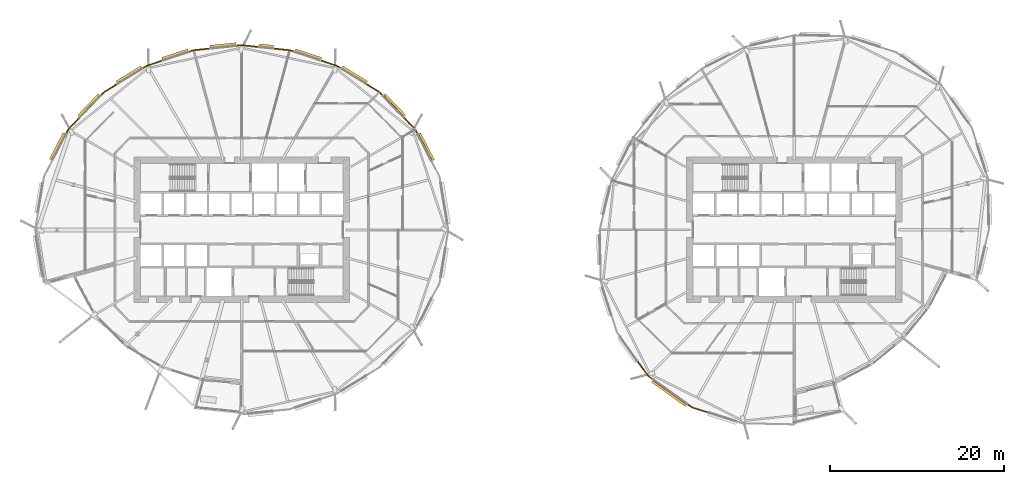
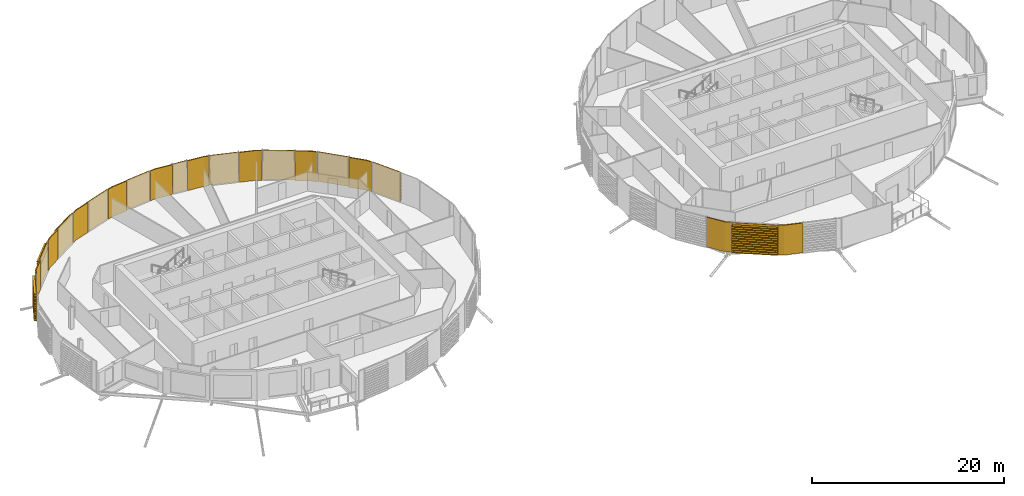
# One storey, part 39 of 43: 22 coverings.
"""IFC4 building model written with IfcOpenShell, lengths in metres."""

from ifc_helpers import new_model, si_unit, direction, frame, origin, place, context, subcontext, project, spatial, polyline, outline, extrude, material, layer, layer_set, material_profile, profile_set, type_object, element, save


model = new_model("IFC4")

# Units and contexts
model_context = context("Model", 3, precision=1e-05, world=origin(), true_north=direction((0.0, 1.0)))
body_context = subcontext(model_context, "Body", "Model", "MODEL_VIEW")
ifc_project = project(units=[si_unit("LENGTHUNIT", "METRE"), si_unit("AREAUNIT", "SQUARE_METRE"), si_unit("VOLUMEUNIT", "CUBIC_METRE"), si_unit("PLANEANGLEUNIT", "RADIAN"), si_unit("MASSUNIT", "GRAM", prefix="KILO")], contexts=[model_context])

# Site, building, storey
site_placement = place(None, origin())
site = spatial("IfcSite", under=ifc_project, at=site_placement, CompositionType="ELEMENT")
building_placement = place(site_placement, origin())
building = spatial("IfcBuilding", under=site, at=building_placement, Name="Rimbun Link Towers", CompositionType="ELEMENT")
storey_placement = place(building_placement, frame((0.0, 0.0, 81.60009765625)))
storey = spatial("IfcBuildingStorey", under=building, at=storey_placement, Name="L19", CompositionType="ELEMENT", Elevation=81.60009765625)

# Coverings
ifc_material_1 = material(Name="Terracotta", Category="masonry")
ifc_layer = layer(ifc_material_1, 0.1201171875)
ifc_layer_set = layer_set([ifc_layer], Name="LINK PIER terracotta cladding 120")
covering_type_1 = type_object("IfcCoveringType", Name="LINK PIER terracotta cladding 120", PredefinedType="CLADDING", material=ifc_layer_set)
covering_1_placement = place(storey_placement, origin())
element("IfcCovering", 1, at=covering_1_placement, inside=storey, type_object=covering_type_1, Name="LINK PIER cladding", PredefinedType="CLADDING", context=body_context, shape_type="SweptSolid", body=[
    extrude(outline(polyline([(-13.172119140625, 12.879150390625), (-11.84326171875, 11.4931640625), (-11.581298828125, 10.98681640625), (-11.474853515625, 11.0419921875), (-11.74462890625, 11.563720703125), (-13.08544921875, 12.962158203125), (-13.172119140625, 12.879150390625)])), origin(), (0.0, 0.0, 1.0), 3.7998046875),
])
covering_2_placement = place(storey_placement, origin())
element("IfcCovering", 2, at=covering_2_placement, inside=storey, type_object=covering_type_1, Name="LINK PIER cladding", PredefinedType="CLADDING", context=body_context, shape_type="SweptSolid", body=[
    extrude(outline(polyline([(-17.469970703125, 16.714599609375), (-15.96142578125, 15.78857421875), (-15.567138671875, 15.376953125), (-15.48046875, 15.460205078125), (-15.885498046875, 15.882568359375), (-17.406982421875, 16.81689453125), (-17.469970703125, 16.714599609375)])), origin(), (0.0, 0.0, 1.0), 3.7998046875),
])
covering_3_placement = place(storey_placement, origin())
element("IfcCovering", 3, at=covering_3_placement, inside=storey, type_object=covering_type_1, Name="LINK PIER cladding", PredefinedType="CLADDING", context=body_context, shape_type="SweptSolid", body=[
    extrude(outline(polyline([(-22.6630859375, 19.401611328125), (-20.88818359375, 18.8134765625), (-20.40234375, 18.51513671875), (-20.339599609375, 18.617431640625), (-20.837158203125, 18.9228515625), (-22.62548828125, 19.515625), (-22.6630859375, 19.401611328125)])), origin(), (0.0, 0.0, 1.0), 3.7998046875),
])
covering_4_placement = place(storey_placement, origin())
element("IfcCovering", 4, at=covering_4_placement, inside=storey, type_object=covering_type_1, Name="LINK PIER cladding", PredefinedType="CLADDING", context=body_context, shape_type="SweptSolid", body=[
    extrude(outline(polyline([(-28.093994140625, 20.781005859375), (-26.234130859375, 20.585205078125), (-25.693115234375, 20.40576171875), (-25.6552734375, 20.519775390625), (-26.208740234375, 20.703125), (-28.081298828125, 20.900390625), (-28.093994140625, 20.781005859375)])), origin(), (0.0, 0.0, 1.0), 3.7998046875),
])
covering_5_placement = place(storey_placement, origin())
element("IfcCovering", 5, at=covering_5_placement, inside=storey, type_object=covering_type_1, Name="LINK PIER cladding", PredefinedType="CLADDING", context=body_context, shape_type="SweptSolid", body=[
    extrude(outline(polyline([(-32.36669921875, 21.10107421875), (-31.75, 21.166015625), (-29.790771484375, 20.959716796875), (-29.7783203125, 21.0791015625), (-31.75, 21.28662109375), (-32.379150390625, 21.220458984375), (-32.36669921875, 21.10107421875)])), origin(), (0.0, 0.0, 1.0), 3.7998046875),
])
covering_6_placement = place(storey_placement, origin())
element("IfcCovering", 6, at=covering_6_placement, inside=storey, type_object=covering_type_1, Name="LINK PIER cladding", PredefinedType="CLADDING", context=body_context, shape_type="SweptSolid", body=[
    extrude(outline(polyline([(-37.806884765625, 20.40576171875), (-37.265869140625, 20.585205078125), (-35.406005859375, 20.781005859375), (-35.418701171875, 20.900390625), (-37.291259765625, 20.703125), (-37.8447265625, 20.519775390625), (-37.806884765625, 20.40576171875)])), origin(), (0.0, 0.0, 1.0), 3.7998046875),
])
covering_7_placement = place(storey_placement, origin())
element("IfcCovering", 7, at=covering_7_placement, inside=storey, type_object=covering_type_1, Name="LINK PIER cladding", PredefinedType="CLADDING", context=body_context, shape_type="SweptSolid", body=[
    extrude(outline(polyline([(-43.09765625, 18.51513671875), (-42.61181640625, 18.8134765625), (-40.8369140625, 19.401611328125), (-40.87451171875, 19.515625), (-42.662841796875, 18.9228515625), (-43.160400390625, 18.617431640625), (-43.09765625, 18.51513671875)])), origin(), (0.0, 0.0, 1.0), 3.7998046875),
])
covering_8_placement = place(storey_placement, origin())
element("IfcCovering", 8, at=covering_8_placement, inside=storey, type_object=covering_type_1, Name="LINK PIER cladding", PredefinedType="CLADDING", context=body_context, shape_type="SweptSolid", body=[
    extrude(outline(polyline([(-47.932861328125, 15.376953125), (-47.53857421875, 15.78857421875), (-46.030029296875, 16.714599609375), (-46.093017578125, 16.81689453125), (-47.614501953125, 15.882568359375), (-48.01953125, 15.460205078125), (-47.932861328125, 15.376953125)])), origin(), (0.0, 0.0, 1.0), 3.7998046875),
])
covering_9_placement = place(storey_placement, origin())
element("IfcCovering", 9, at=covering_9_placement, inside=storey, type_object=covering_type_1, Name="LINK PIER cladding", PredefinedType="CLADDING", context=body_context, shape_type="SweptSolid", body=[
    extrude(outline(polyline([(-51.918701171875, 10.98681640625), (-51.65673828125, 11.4931640625), (-50.327880859375, 12.879150390625), (-50.41455078125, 12.962158203125), (-51.75537109375, 11.563720703125), (-52.025146484375, 11.0419921875), (-51.918701171875, 10.98681640625)])), origin(), (0.0, 0.0, 1.0), 3.7998046875),
])
covering_10_placement = place(storey_placement, origin())
element("IfcCovering", 10, at=covering_10_placement, inside=storey, type_object=covering_type_1, Name="LINK PIER cladding", PredefinedType="CLADDING", context=body_context, shape_type="SweptSolid", body=[
    extrude(outline(polyline([(15.53173828125, -17.1533203125), (14.9873046875, -16.7626953125), (13.780517578125, -15.080810546875), (13.68310546875, -15.150634765625), (14.9013671875, -16.8486328125), (15.4619140625, -17.250732421875), (15.53173828125, -17.1533203125)])), origin(), (0.0, 0.0, 1.0), 3.7998046875),
])
covering_11_placement = place(storey_placement, origin())
element("IfcCovering", 11, at=covering_11_placement, inside=storey, type_object=covering_type_1, Name="LINK PIER cladding", PredefinedType="CLADDING", context=body_context, shape_type="SweptSolid", body=[
    extrude(outline(polyline([(21.874267578125, -20.954345703125), (19.996826171875, -20.357177734375), (19.4931640625, -19.995849609375), (19.423095703125, -20.09326171875), (19.9423828125, -20.4658203125), (21.837890625, -21.068603515625), (21.874267578125, -20.954345703125)])), origin(), (0.0, 0.0, 1.0), 3.7998046875),
])
ifc_material_2 = material(Name="Terracotta", Category="masonry")
ifc_material_profile = material_profile(ifc_material_2, outline(polyline([(0.123046875, 0.0), (0.1630859375, 0.0), (0.1630859375, 0.10009765625), (0.423095703125, 0.10009765625), (0.423095703125, 0.219970703125), (0.1630859375, 0.219970703125), (0.1630859375, 0.39990234375), (0.423095703125, 0.39990234375), (0.423095703125, 0.52001953125), (0.1630859375, 0.52001953125), (0.1630859375, 0.699951171875), (0.423095703125, 0.699951171875), (0.423095703125, 0.820068359375), (0.1630859375, 0.820068359375), (0.1630859375, 1.0), (0.423095703125, 1.0), (0.423095703125, 1.1201171875), (0.1630859375, 1.1201171875), (0.1630859375, 1.300048828125), (0.423095703125, 1.300048828125), (0.423095703125, 1.419921875), (0.1630859375, 1.419921875), (0.1630859375, 1.60009765625), (0.423095703125, 1.60009765625), (0.423095703125, 1.719970703125), (0.1630859375, 1.719970703125), (0.1630859375, 1.89990234375), (0.423095703125, 1.89990234375), (0.423095703125, 2.02001953125), (0.1630859375, 2.02001953125), (0.1630859375, 2.199951171875), (0.423095703125, 2.199951171875), (0.423095703125, 2.320068359375), (0.1630859375, 2.320068359375), (0.1630859375, 2.5), (0.423095703125, 2.5), (0.423095703125, 2.6201171875), (0.1630859375, 2.6201171875), (0.1630859375, 2.800048828125), (0.423095703125, 2.800048828125), (0.423095703125, 2.919921875), (0.1630859375, 2.919921875), (0.1630859375, 3.10009765625), (0.423095703125, 3.10009765625), (0.423095703125, 3.219970703125), (0.1630859375, 3.219970703125), (0.1630859375, 3.39990234375), (0.423095703125, 3.39990234375), (0.423095703125, 3.52001953125), (0.1630859375, 3.52001953125), (0.1630859375, 3.800048828125), (0.123046875, 3.800048828125), (0.123046875, 0.0)])), Name="BAGUETTE 120X300")
ifc_profile_set = profile_set([ifc_material_profile], Name="Terracotta")
covering_type_2 = type_object("IfcCoveringType", Name="TERRACOTTA BAGUETTE 120X300 H3800", PredefinedType="CLADDING", material=ifc_profile_set)
covering_12_placement = place(storey_placement, frame((-11.567626953125, 10.960205078125, 0.0), z_axis=(0.459537083826, -0.888158583018, 0.0), x_axis=(0.888158583018, 0.459537083826, 0.0)))
element("IfcCovering", 12, at=covering_12_placement, inside=storey, type_object=covering_type_2, Name="TERRACOTTA BAGUETTE", PredefinedType="CLADDING", context=body_context, shape_type="SweptSolid", body=[
    extrude(outline(polyline([(0.123046875, 0.0), (0.1630859375, 0.0), (0.1630859375, 0.10009765625), (0.423095703125, 0.10009765625), (0.423095703125, 0.219970703125), (0.1630859375, 0.219970703125), (0.1630859375, 0.39990234375), (0.423095703125, 0.39990234375), (0.423095703125, 0.52001953125), (0.1630859375, 0.52001953125), (0.1630859375, 0.699951171875), (0.423095703125, 0.699951171875), (0.423095703125, 0.820068359375), (0.1630859375, 0.820068359375), (0.1630859375, 1.0), (0.423095703125, 1.0), (0.423095703125, 1.1201171875), (0.1630859375, 1.1201171875), (0.1630859375, 1.300048828125), (0.423095703125, 1.300048828125), (0.423095703125, 1.419921875), (0.1630859375, 1.419921875), (0.1630859375, 1.60009765625), (0.423095703125, 1.60009765625), (0.423095703125, 1.719970703125), (0.1630859375, 1.719970703125), (0.1630859375, 1.89990234375), (0.423095703125, 1.89990234375), (0.423095703125, 2.02001953125), (0.1630859375, 2.02001953125), (0.1630859375, 2.199951171875), (0.423095703125, 2.199951171875), (0.423095703125, 2.320068359375), (0.1630859375, 2.320068359375), (0.1630859375, 2.5), (0.423095703125, 2.5), (0.423095703125, 2.6201171875), (0.1630859375, 2.6201171875), (0.1630859375, 2.800048828125), (0.423095703125, 2.800048828125), (0.423095703125, 2.919921875), (0.1630859375, 2.919921875), (0.1630859375, 3.10009765625), (0.423095703125, 3.10009765625), (0.423095703125, 3.219970703125), (0.1630859375, 3.219970703125), (0.1630859375, 3.39990234375), (0.423095703125, 3.39990234375), (0.423095703125, 3.52001953125), (0.1630859375, 3.52001953125), (0.1630859375, 3.800048828125), (0.123046875, 3.800048828125), (0.123046875, 0.0)])), origin(), (0.0, 0.0, 1.0), 3.490478515625),
])
covering_13_placement = place(storey_placement, frame((-15.546142578125, 15.35546875, 0.0), z_axis=(0.692016066289, -0.721882098406, 0.0), x_axis=(0.721882098406, 0.692016066289, 0.0)))
element("IfcCovering", 13, at=covering_13_placement, inside=storey, type_object=covering_type_2, Name="TERRACOTTA BAGUETTE", PredefinedType="CLADDING", context=body_context, shape_type="SweptSolid", body=[
    extrude(outline(polyline([(0.123046875, 0.0), (0.1630859375, 0.0), (0.1630859375, 0.10009765625), (0.423095703125, 0.10009765625), (0.423095703125, 0.219970703125), (0.1630859375, 0.219970703125), (0.1630859375, 0.39990234375), (0.423095703125, 0.39990234375), (0.423095703125, 0.52001953125), (0.1630859375, 0.52001953125), (0.1630859375, 0.699951171875), (0.423095703125, 0.699951171875), (0.423095703125, 0.820068359375), (0.1630859375, 0.820068359375), (0.1630859375, 1.0), (0.423095703125, 1.0), (0.423095703125, 1.1201171875), (0.1630859375, 1.1201171875), (0.1630859375, 1.300048828125), (0.423095703125, 1.300048828125), (0.423095703125, 1.419921875), (0.1630859375, 1.419921875), (0.1630859375, 1.60009765625), (0.423095703125, 1.60009765625), (0.423095703125, 1.719970703125), (0.1630859375, 1.719970703125), (0.1630859375, 1.89990234375), (0.423095703125, 1.89990234375), (0.423095703125, 2.02001953125), (0.1630859375, 2.02001953125), (0.1630859375, 2.199951171875), (0.423095703125, 2.199951171875), (0.423095703125, 2.320068359375), (0.1630859375, 2.320068359375), (0.1630859375, 2.5), (0.423095703125, 2.5), (0.423095703125, 2.6201171875), (0.1630859375, 2.6201171875), (0.1630859375, 2.800048828125), (0.423095703125, 2.800048828125), (0.423095703125, 2.919921875), (0.1630859375, 2.919921875), (0.1630859375, 3.10009765625), (0.423095703125, 3.10009765625), (0.423095703125, 3.219970703125), (0.1630859375, 3.219970703125), (0.1630859375, 3.39990234375), (0.423095703125, 3.39990234375), (0.423095703125, 3.52001953125), (0.1630859375, 3.52001953125), (0.1630859375, 3.800048828125), (0.123046875, 3.800048828125), (0.123046875, 0.0)])), origin(), (0.0, 0.0, 1.0), 3.400634765625),
])
covering_14_placement = place(storey_placement, frame((-20.376708984375, 18.49951171875, 0.0), z_axis=(0.85216614194, -0.523271312544, 0.0), x_axis=(0.523271312544, 0.85216614194, 0.0)))
element("IfcCovering", 14, at=covering_14_placement, inside=storey, type_object=covering_type_2, Name="TERRACOTTA BAGUETTE", PredefinedType="CLADDING", context=body_context, shape_type="SweptSolid", body=[
    extrude(outline(polyline([(0.123046875, 0.0), (0.1630859375, 0.0), (0.1630859375, 0.10009765625), (0.423095703125, 0.10009765625), (0.423095703125, 0.219970703125), (0.1630859375, 0.219970703125), (0.1630859375, 0.39990234375), (0.423095703125, 0.39990234375), (0.423095703125, 0.52001953125), (0.1630859375, 0.52001953125), (0.1630859375, 0.699951171875), (0.423095703125, 0.699951171875), (0.423095703125, 0.820068359375), (0.1630859375, 0.820068359375), (0.1630859375, 1.0), (0.423095703125, 1.0), (0.423095703125, 1.1201171875), (0.1630859375, 1.1201171875), (0.1630859375, 1.300048828125), (0.423095703125, 1.300048828125), (0.423095703125, 1.419921875), (0.1630859375, 1.419921875), (0.1630859375, 1.60009765625), (0.423095703125, 1.60009765625), (0.423095703125, 1.719970703125), (0.1630859375, 1.719970703125), (0.1630859375, 1.89990234375), (0.423095703125, 1.89990234375), (0.423095703125, 2.02001953125), (0.1630859375, 2.02001953125), (0.1630859375, 2.199951171875), (0.423095703125, 2.199951171875), (0.423095703125, 2.320068359375), (0.1630859375, 2.320068359375), (0.1630859375, 2.5), (0.423095703125, 2.5), (0.423095703125, 2.6201171875), (0.1630859375, 2.6201171875), (0.1630859375, 2.800048828125), (0.423095703125, 2.800048828125), (0.423095703125, 2.919921875), (0.1630859375, 2.919921875), (0.1630859375, 3.10009765625), (0.423095703125, 3.10009765625), (0.423095703125, 3.219970703125), (0.1630859375, 3.219970703125), (0.1630859375, 3.39990234375), (0.423095703125, 3.39990234375), (0.423095703125, 3.52001953125), (0.1630859375, 3.52001953125), (0.1630859375, 3.800048828125), (0.123046875, 3.800048828125), (0.123046875, 0.0)])), origin(), (0.0, 0.0, 1.0), 3.381103515625),
])
covering_15_placement = place(storey_placement, frame((-25.66455078125, 20.396240234375, 0.0), z_axis=(0.949243070926, -0.314543466469, 0.0), x_axis=(0.314543466469, 0.949243070926, 0.0)))
element("IfcCovering", 15, at=covering_15_placement, inside=storey, type_object=covering_type_2, Name="TERRACOTTA BAGUETTE", PredefinedType="CLADDING", context=body_context, shape_type="SweptSolid", body=[
    extrude(outline(polyline([(0.123046875, 0.0), (0.1630859375, 0.0), (0.1630859375, 0.10009765625), (0.423095703125, 0.10009765625), (0.423095703125, 0.219970703125), (0.1630859375, 0.219970703125), (0.1630859375, 0.39990234375), (0.423095703125, 0.39990234375), (0.423095703125, 0.52001953125), (0.1630859375, 0.52001953125), (0.1630859375, 0.699951171875), (0.423095703125, 0.699951171875), (0.423095703125, 0.820068359375), (0.1630859375, 0.820068359375), (0.1630859375, 1.0), (0.423095703125, 1.0), (0.423095703125, 1.1201171875), (0.1630859375, 1.1201171875), (0.1630859375, 1.300048828125), (0.423095703125, 1.300048828125), (0.423095703125, 1.419921875), (0.1630859375, 1.419921875), (0.1630859375, 1.60009765625), (0.423095703125, 1.60009765625), (0.423095703125, 1.719970703125), (0.1630859375, 1.719970703125), (0.1630859375, 1.89990234375), (0.423095703125, 1.89990234375), (0.423095703125, 2.02001953125), (0.1630859375, 2.02001953125), (0.1630859375, 2.199951171875), (0.423095703125, 2.199951171875), (0.423095703125, 2.320068359375), (0.1630859375, 2.320068359375), (0.1630859375, 2.5), (0.423095703125, 2.5), (0.423095703125, 2.6201171875), (0.1630859375, 2.6201171875), (0.1630859375, 2.800048828125), (0.423095703125, 2.800048828125), (0.423095703125, 2.919921875), (0.1630859375, 2.919921875), (0.1630859375, 3.10009765625), (0.423095703125, 3.10009765625), (0.423095703125, 3.219970703125), (0.1630859375, 3.219970703125), (0.1630859375, 3.39990234375), (0.423095703125, 3.39990234375), (0.423095703125, 3.52001953125), (0.1630859375, 3.52001953125), (0.1630859375, 3.800048828125), (0.123046875, 3.800048828125), (0.123046875, 0.0)])), origin(), (0.0, 0.0, 1.0), 3.1318359375),
])
covering_16_placement = place(storey_placement, frame((-29.760986328125, 20.95654296875, 0.0), z_axis=(0.994503827589, -0.10470022402, 0.0), x_axis=(0.10470022402, 0.994503827589, 0.0)))
element("IfcCovering", 16, at=covering_16_placement, inside=storey, type_object=covering_type_2, Name="TERRACOTTA BAGUETTE", PredefinedType="CLADDING", context=body_context, shape_type="SweptSolid", body=[
    extrude(outline(polyline([(0.123046875, 0.0), (0.1630859375, 0.0), (0.1630859375, 0.10009765625), (0.423095703125, 0.10009765625), (0.423095703125, 0.219970703125), (0.1630859375, 0.219970703125), (0.1630859375, 0.39990234375), (0.423095703125, 0.39990234375), (0.423095703125, 0.52001953125), (0.1630859375, 0.52001953125), (0.1630859375, 0.699951171875), (0.423095703125, 0.699951171875), (0.423095703125, 0.820068359375), (0.1630859375, 0.820068359375), (0.1630859375, 1.0), (0.423095703125, 1.0), (0.423095703125, 1.1201171875), (0.1630859375, 1.1201171875), (0.1630859375, 1.300048828125), (0.423095703125, 1.300048828125), (0.423095703125, 1.419921875), (0.1630859375, 1.419921875), (0.1630859375, 1.60009765625), (0.423095703125, 1.60009765625), (0.423095703125, 1.719970703125), (0.1630859375, 1.719970703125), (0.1630859375, 1.89990234375), (0.423095703125, 1.89990234375), (0.423095703125, 2.02001953125), (0.1630859375, 2.02001953125), (0.1630859375, 2.199951171875), (0.423095703125, 2.199951171875), (0.423095703125, 2.320068359375), (0.1630859375, 2.320068359375), (0.1630859375, 2.5), (0.423095703125, 2.5), (0.423095703125, 2.6201171875), (0.1630859375, 2.6201171875), (0.1630859375, 2.800048828125), (0.423095703125, 2.800048828125), (0.423095703125, 2.919921875), (0.1630859375, 2.919921875), (0.1630859375, 3.10009765625), (0.423095703125, 3.10009765625), (0.423095703125, 3.219970703125), (0.1630859375, 3.219970703125), (0.1630859375, 3.39990234375), (0.423095703125, 3.39990234375), (0.423095703125, 3.52001953125), (0.1630859375, 3.52001953125), (0.1630859375, 3.800048828125), (0.123046875, 3.800048828125), (0.123046875, 0.0)])), origin(), (0.0, 0.0, 1.0), 1.646240234375),
])
covering_17_placement = place(storey_placement, frame((-35.376220703125, 20.7841796875, 0.0), z_axis=(0.994503220277, 0.104705992467, 0.0), x_axis=(-0.104705992467, 0.994503220277, 0.0)))
element("IfcCovering", 17, at=covering_17_placement, inside=storey, type_object=covering_type_2, Name="TERRACOTTA BAGUETTE", PredefinedType="CLADDING", context=body_context, shape_type="SweptSolid", body=[
    extrude(outline(polyline([(0.123046875, 0.0), (0.1630859375, 0.0), (0.1630859375, 0.10009765625), (0.423095703125, 0.10009765625), (0.423095703125, 0.219970703125), (0.1630859375, 0.219970703125), (0.1630859375, 0.39990234375), (0.423095703125, 0.39990234375), (0.423095703125, 0.52001953125), (0.1630859375, 0.52001953125), (0.1630859375, 0.699951171875), (0.423095703125, 0.699951171875), (0.423095703125, 0.820068359375), (0.1630859375, 0.820068359375), (0.1630859375, 1.0), (0.423095703125, 1.0), (0.423095703125, 1.1201171875), (0.1630859375, 1.1201171875), (0.1630859375, 1.300048828125), (0.423095703125, 1.300048828125), (0.423095703125, 1.419921875), (0.1630859375, 1.419921875), (0.1630859375, 1.60009765625), (0.423095703125, 1.60009765625), (0.423095703125, 1.719970703125), (0.1630859375, 1.719970703125), (0.1630859375, 1.89990234375), (0.423095703125, 1.89990234375), (0.423095703125, 2.02001953125), (0.1630859375, 2.02001953125), (0.1630859375, 2.199951171875), (0.423095703125, 2.199951171875), (0.423095703125, 2.320068359375), (0.1630859375, 2.320068359375), (0.1630859375, 2.5), (0.423095703125, 2.5), (0.423095703125, 2.6201171875), (0.1630859375, 2.6201171875), (0.1630859375, 2.800048828125), (0.423095703125, 2.800048828125), (0.423095703125, 2.919921875), (0.1630859375, 2.919921875), (0.1630859375, 3.10009765625), (0.423095703125, 3.10009765625), (0.423095703125, 3.219970703125), (0.1630859375, 3.219970703125), (0.1630859375, 3.39990234375), (0.423095703125, 3.39990234375), (0.423095703125, 3.52001953125), (0.1630859375, 3.52001953125), (0.1630859375, 3.800048828125), (0.123046875, 3.800048828125), (0.123046875, 0.0)])), origin(), (0.0, 0.0, 1.0), 2.99609375),
])
covering_18_placement = place(storey_placement, frame((-40.808349609375, 19.4111328125, 0.0), z_axis=(0.949243070926, 0.314543466469, 0.0), x_axis=(-0.314543466469, 0.949243070926, 0.0)))
element("IfcCovering", 18, at=covering_18_placement, inside=storey, type_object=covering_type_2, Name="TERRACOTTA BAGUETTE", PredefinedType="CLADDING", context=body_context, shape_type="SweptSolid", body=[
    extrude(outline(polyline([(0.123046875, 0.0), (0.1630859375, 0.0), (0.1630859375, 0.10009765625), (0.423095703125, 0.10009765625), (0.423095703125, 0.219970703125), (0.1630859375, 0.219970703125), (0.1630859375, 0.39990234375), (0.423095703125, 0.39990234375), (0.423095703125, 0.52001953125), (0.1630859375, 0.52001953125), (0.1630859375, 0.699951171875), (0.423095703125, 0.699951171875), (0.423095703125, 0.820068359375), (0.1630859375, 0.820068359375), (0.1630859375, 1.0), (0.423095703125, 1.0), (0.423095703125, 1.1201171875), (0.1630859375, 1.1201171875), (0.1630859375, 1.300048828125), (0.423095703125, 1.300048828125), (0.423095703125, 1.419921875), (0.1630859375, 1.419921875), (0.1630859375, 1.60009765625), (0.423095703125, 1.60009765625), (0.423095703125, 1.719970703125), (0.1630859375, 1.719970703125), (0.1630859375, 1.89990234375), (0.423095703125, 1.89990234375), (0.423095703125, 2.02001953125), (0.1630859375, 2.02001953125), (0.1630859375, 2.199951171875), (0.423095703125, 2.199951171875), (0.423095703125, 2.320068359375), (0.1630859375, 2.320068359375), (0.1630859375, 2.5), (0.423095703125, 2.5), (0.423095703125, 2.6201171875), (0.1630859375, 2.6201171875), (0.1630859375, 2.800048828125), (0.423095703125, 2.800048828125), (0.423095703125, 2.919921875), (0.1630859375, 2.919921875), (0.1630859375, 3.10009765625), (0.423095703125, 3.10009765625), (0.423095703125, 3.219970703125), (0.1630859375, 3.219970703125), (0.1630859375, 3.39990234375), (0.423095703125, 3.39990234375), (0.423095703125, 3.52001953125), (0.1630859375, 3.52001953125), (0.1630859375, 3.800048828125), (0.123046875, 3.800048828125), (0.123046875, 0.0)])), origin(), (0.0, 0.0, 1.0), 3.1318359375),
])
covering_19_placement = place(storey_placement, frame((-46.004638671875, 16.730224609375, 0.0), z_axis=(0.85216614194, 0.523271312544, 0.0), x_axis=(-0.523271312544, 0.85216614194, 0.0)))
element("IfcCovering", 19, at=covering_19_placement, inside=storey, type_object=covering_type_2, Name="TERRACOTTA BAGUETTE", PredefinedType="CLADDING", context=body_context, shape_type="SweptSolid", body=[
    extrude(outline(polyline([(0.123046875, 0.0), (0.1630859375, 0.0), (0.1630859375, 0.10009765625), (0.423095703125, 0.10009765625), (0.423095703125, 0.219970703125), (0.1630859375, 0.219970703125), (0.1630859375, 0.39990234375), (0.423095703125, 0.39990234375), (0.423095703125, 0.52001953125), (0.1630859375, 0.52001953125), (0.1630859375, 0.699951171875), (0.423095703125, 0.699951171875), (0.423095703125, 0.820068359375), (0.1630859375, 0.820068359375), (0.1630859375, 1.0), (0.423095703125, 1.0), (0.423095703125, 1.1201171875), (0.1630859375, 1.1201171875), (0.1630859375, 1.300048828125), (0.423095703125, 1.300048828125), (0.423095703125, 1.419921875), (0.1630859375, 1.419921875), (0.1630859375, 1.60009765625), (0.423095703125, 1.60009765625), (0.423095703125, 1.719970703125), (0.1630859375, 1.719970703125), (0.1630859375, 1.89990234375), (0.423095703125, 1.89990234375), (0.423095703125, 2.02001953125), (0.1630859375, 2.02001953125), (0.1630859375, 2.199951171875), (0.423095703125, 2.199951171875), (0.423095703125, 2.320068359375), (0.1630859375, 2.320068359375), (0.1630859375, 2.5), (0.423095703125, 2.5), (0.423095703125, 2.6201171875), (0.1630859375, 2.6201171875), (0.1630859375, 2.800048828125), (0.423095703125, 2.800048828125), (0.423095703125, 2.919921875), (0.1630859375, 2.919921875), (0.1630859375, 3.10009765625), (0.423095703125, 3.10009765625), (0.423095703125, 3.219970703125), (0.1630859375, 3.219970703125), (0.1630859375, 3.39990234375), (0.423095703125, 3.39990234375), (0.423095703125, 3.52001953125), (0.1630859375, 3.52001953125), (0.1630859375, 3.800048828125), (0.123046875, 3.800048828125), (0.123046875, 0.0)])), origin(), (0.0, 0.0, 1.0), 3.381103515625),
])
covering_20_placement = place(storey_placement, frame((-50.30712890625, 12.900634765625, 0.0), z_axis=(0.692016066289, 0.721882098406, 0.0), x_axis=(-0.721882098406, 0.692016066289, 0.0)))
element("IfcCovering", 20, at=covering_20_placement, inside=storey, type_object=covering_type_2, Name="TERRACOTTA BAGUETTE", PredefinedType="CLADDING", context=body_context, shape_type="SweptSolid", body=[
    extrude(outline(polyline([(0.123046875, 0.0), (0.1630859375, 0.0), (0.1630859375, 0.10009765625), (0.423095703125, 0.10009765625), (0.423095703125, 0.219970703125), (0.1630859375, 0.219970703125), (0.1630859375, 0.39990234375), (0.423095703125, 0.39990234375), (0.423095703125, 0.52001953125), (0.1630859375, 0.52001953125), (0.1630859375, 0.699951171875), (0.423095703125, 0.699951171875), (0.423095703125, 0.820068359375), (0.1630859375, 0.820068359375), (0.1630859375, 1.0), (0.423095703125, 1.0), (0.423095703125, 1.1201171875), (0.1630859375, 1.1201171875), (0.1630859375, 1.300048828125), (0.423095703125, 1.300048828125), (0.423095703125, 1.419921875), (0.1630859375, 1.419921875), (0.1630859375, 1.60009765625), (0.423095703125, 1.60009765625), (0.423095703125, 1.719970703125), (0.1630859375, 1.719970703125), (0.1630859375, 1.89990234375), (0.423095703125, 1.89990234375), (0.423095703125, 2.02001953125), (0.1630859375, 2.02001953125), (0.1630859375, 2.199951171875), (0.423095703125, 2.199951171875), (0.423095703125, 2.320068359375), (0.1630859375, 2.320068359375), (0.1630859375, 2.5), (0.423095703125, 2.5), (0.423095703125, 2.6201171875), (0.1630859375, 2.6201171875), (0.1630859375, 2.800048828125), (0.423095703125, 2.800048828125), (0.423095703125, 2.919921875), (0.1630859375, 2.919921875), (0.1630859375, 3.10009765625), (0.423095703125, 3.10009765625), (0.423095703125, 3.219970703125), (0.1630859375, 3.219970703125), (0.1630859375, 3.39990234375), (0.423095703125, 3.39990234375), (0.423095703125, 3.52001953125), (0.1630859375, 3.52001953125), (0.1630859375, 3.800048828125), (0.123046875, 3.800048828125), (0.123046875, 0.0)])), origin(), (0.0, 0.0, 1.0), 3.400634765625),
])
covering_21_placement = place(storey_placement, frame((-53.490478515625, 7.948974609375, 0.0), z_axis=(0.459556122061, 0.888148732294, 0.0), x_axis=(-0.888148732294, 0.459556122061, 0.0)))
element("IfcCovering", 21, at=covering_21_placement, inside=storey, type_object=covering_type_2, Name="TERRACOTTA BAGUETTE", PredefinedType="CLADDING", context=body_context, shape_type="SweptSolid", body=[
    extrude(outline(polyline([(0.123046875, 0.0), (0.1630859375, 0.0), (0.1630859375, 0.10009765625), (0.423095703125, 0.10009765625), (0.423095703125, 0.219970703125), (0.1630859375, 0.219970703125), (0.1630859375, 0.39990234375), (0.423095703125, 0.39990234375), (0.423095703125, 0.52001953125), (0.1630859375, 0.52001953125), (0.1630859375, 0.699951171875), (0.423095703125, 0.699951171875), (0.423095703125, 0.820068359375), (0.1630859375, 0.820068359375), (0.1630859375, 1.0), (0.423095703125, 1.0), (0.423095703125, 1.1201171875), (0.1630859375, 1.1201171875), (0.1630859375, 1.300048828125), (0.423095703125, 1.300048828125), (0.423095703125, 1.419921875), (0.1630859375, 1.419921875), (0.1630859375, 1.60009765625), (0.423095703125, 1.60009765625), (0.423095703125, 1.719970703125), (0.1630859375, 1.719970703125), (0.1630859375, 1.89990234375), (0.423095703125, 1.89990234375), (0.423095703125, 2.02001953125), (0.1630859375, 2.02001953125), (0.1630859375, 2.199951171875), (0.423095703125, 2.199951171875), (0.423095703125, 2.320068359375), (0.1630859375, 2.320068359375), (0.1630859375, 2.5), (0.423095703125, 2.5), (0.423095703125, 2.6201171875), (0.1630859375, 2.6201171875), (0.1630859375, 2.800048828125), (0.423095703125, 2.800048828125), (0.423095703125, 2.919921875), (0.1630859375, 2.919921875), (0.1630859375, 3.10009765625), (0.423095703125, 3.10009765625), (0.423095703125, 3.219970703125), (0.1630859375, 3.219970703125), (0.1630859375, 3.39990234375), (0.423095703125, 3.39990234375), (0.423095703125, 3.52001953125), (0.1630859375, 3.52001953125), (0.1630859375, 3.800048828125), (0.123046875, 3.800048828125), (0.123046875, 0.0)])), origin(), (0.0, 0.0, 1.0), 3.390380859375),
])
covering_22_placement = place(storey_placement, frame((19.46875, -19.978271484375, 0.0), z_axis=(-0.812464121007, 0.583011193784, 0.0), x_axis=(-0.583011193784, -0.812464121007, 0.0)))
element("IfcCovering", 22, at=covering_22_placement, inside=storey, type_object=covering_type_2, Name="TERRACOTTA BAGUETTE", PredefinedType="CLADDING", context=body_context, shape_type="SweptSolid", body=[
    extrude(outline(polyline([(0.123046875, 0.0), (0.1630859375, 0.0), (0.1630859375, 0.10009765625), (0.423095703125, 0.10009765625), (0.423095703125, 0.219970703125), (0.1630859375, 0.219970703125), (0.1630859375, 0.39990234375), (0.423095703125, 0.39990234375), (0.423095703125, 0.52001953125), (0.1630859375, 0.52001953125), (0.1630859375, 0.699951171875), (0.423095703125, 0.699951171875), (0.423095703125, 0.820068359375), (0.1630859375, 0.820068359375), (0.1630859375, 1.0), (0.423095703125, 1.0), (0.423095703125, 1.1201171875), (0.1630859375, 1.1201171875), (0.1630859375, 1.300048828125), (0.423095703125, 1.300048828125), (0.423095703125, 1.419921875), (0.1630859375, 1.419921875), (0.1630859375, 1.60009765625), (0.423095703125, 1.60009765625), (0.423095703125, 1.719970703125), (0.1630859375, 1.719970703125), (0.1630859375, 1.89990234375), (0.423095703125, 1.89990234375), (0.423095703125, 2.02001953125), (0.1630859375, 2.02001953125), (0.1630859375, 2.199951171875), (0.423095703125, 2.199951171875), (0.423095703125, 2.320068359375), (0.1630859375, 2.320068359375), (0.1630859375, 2.5), (0.423095703125, 2.5), (0.423095703125, 2.6201171875), (0.1630859375, 2.6201171875), (0.1630859375, 2.800048828125), (0.423095703125, 2.800048828125), (0.423095703125, 2.919921875), (0.1630859375, 2.919921875), (0.1630859375, 3.10009765625), (0.423095703125, 3.10009765625), (0.423095703125, 3.219970703125), (0.1630859375, 3.219970703125), (0.1630859375, 3.39990234375), (0.423095703125, 3.39990234375), (0.423095703125, 3.52001953125), (0.1630859375, 3.52001953125), (0.1630859375, 3.800048828125), (0.123046875, 3.800048828125), (0.123046875, 0.0)])), origin(), (0.0, 0.0, 1.0), 4.815673828125),
])

save(model, "model.ifc")
